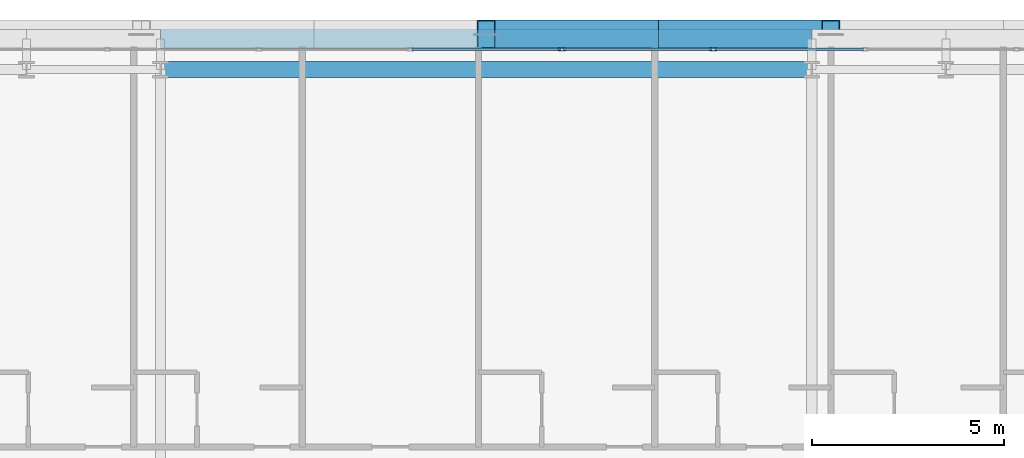
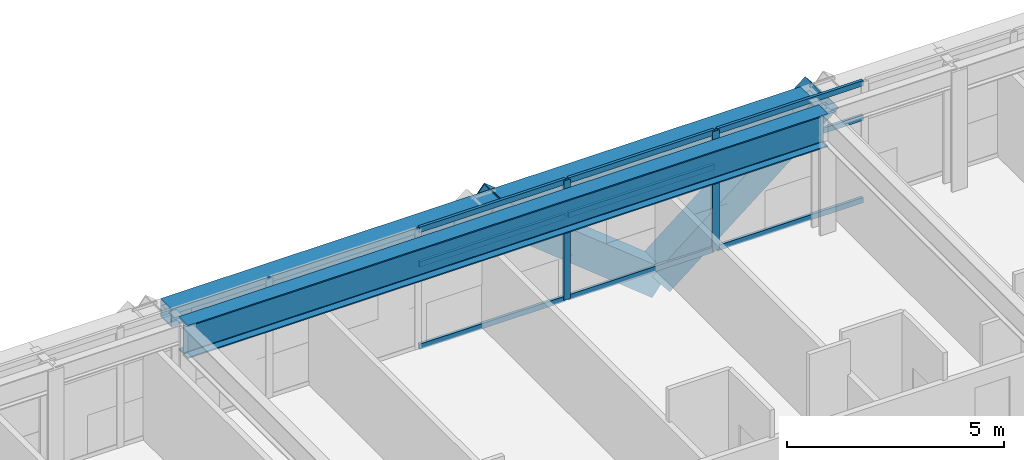
# One storey, part 19 of 36: 13 members, 2 beams, 1 element without a shape of its own.
"""IFC4 building model written with IfcOpenShell, lengths in metres."""

from ifc_helpers import new_model, si_unit, direction, frame, origin, origin_2d, place, context, subcontext, project, spatial, hollow_rectangle, i_section, extrude, source, transform, mapped, material, layer, layer_set, material_profile, profile_set, type_object, element, aggregate, save


model = new_model("IFC4")

# Units and contexts
model_context = context("Model", 3, precision=1e-05, world=origin(), true_north=direction((0.0, 1.0)))
body_context = subcontext(model_context, "Body", "Model", "MODEL_VIEW")
ifc_project = project(units=[si_unit("LENGTHUNIT", "METRE"), si_unit("AREAUNIT", "SQUARE_METRE"), si_unit("VOLUMEUNIT", "CUBIC_METRE"), si_unit("PLANEANGLEUNIT", "RADIAN"), si_unit("MASSUNIT", "GRAM", prefix="KILO")], contexts=[model_context])

# Site, building, storey
site_placement = place(None, origin())
site = spatial("IfcSite", under=ifc_project, at=site_placement, CompositionType="ELEMENT")
building_placement = place(site_placement, origin())
building = spatial("IfcBuilding", under=site, at=building_placement, Name="Ocotamira Hotel", CompositionType="ELEMENT")
storey_placement = place(building_placement, frame((0.0, 0.0, 129.60009765625)))
storey = spatial("IfcBuildingStorey", under=building, at=storey_placement, Name="L32", CompositionType="ELEMENT", Elevation=129.60009765625)

# Beams
ifc_material_1 = material(Name="Steel ASTM A992 Grade 50", Category="steel")
ifc_material_profile_1 = material_profile(ifc_material_1, i_section(OverallWidth=0.41796875, OverallDepth=0.927001953125, WebThickness=0.019287109375, FlangeThickness=0.031982421875, FilletRadius=0.02392578125, at=origin_2d()), Name="W36X231")
ifc_profile_set_1 = profile_set([ifc_material_profile_1], Name="Steel ASTM A992 Grade 50")
beam_type_1 = type_object("IfcBeamType", Name="BM-GIRD-W36X231", PredefinedType="BEAM", material=ifc_profile_set_1)
shared_shape_1 = source(origin(), body_context, "Body", "SweptSolid", [
    extrude(i_section(OverallWidth=0.41796875, OverallDepth=0.927001953125, WebThickness=0.019287109375, FlangeThickness=0.031982421875, FilletRadius=0.02392578125, at=origin_2d()), origin(), (0.0, 0.0, 1.0), 17.0),
])
beam_1_placement = place(storey_placement, frame((23.5, 49.050048828125, 2.896484375), z_axis=(1.0, 0.0, 0.0), x_axis=(0.0, 1.0, 0.0)))
element("IfcBeam", 1, at=beam_1_placement, inside=storey, type_object=beam_type_1, Name="L32 Girder Y49.05 X23.5-40.5", PredefinedType="BEAM", context=body_context, shape_type="MappedRepresentation", body=[
    mapped(shared_shape_1, transform((0.0, 0.0, 0.0), scale=1.0)),
])
ifc_material_2 = material(Name="Steel ASTM A500 Grade C", Category="steel")
ifc_material_profile_2 = material_profile(ifc_material_2, hollow_rectangle(XDim=0.5, YDim=0.5, WallThickness=0.02001953125, at=origin_2d()), Name="HSS500X500X20")
ifc_profile_set_2 = profile_set([ifc_material_profile_2], Name="Steel ASTM A500 Grade C")
beam_type_2 = type_object("IfcBeamType", Name="BM-SPAN-HSS500", PredefinedType="USERDEFINED", material=ifc_profile_set_2)
shared_shape_2 = source(origin(), body_context, "Body", "SweptSolid", [
    extrude(hollow_rectangle(XDim=0.5, YDim=0.5, WallThickness=0.02001953125, at=origin_2d()), origin(), (0.0, 0.0, 1.0), 17.0),
])
beam_2_placement = place(storey_placement, frame((23.5, 49.85009765625, 3.10986328125), z_axis=(1.0, 0.0, 0.0), x_axis=(0.0, 1.0, 0.0)))
element("IfcBeam", 2, at=beam_2_placement, inside=storey, type_object=beam_type_2, Name="L32 Edge Spandrel N X23.5-40.5", ObjectType="SPANDREL", PredefinedType="USERDEFINED", context=body_context, shape_type="MappedRepresentation", body=[
    mapped(shared_shape_2, transform((0.0, 0.0, 0.0), scale=1.0)),
])

# Members
ifc_material_3 = material(Name="Pale-metal coated steel ASTM A913 Grade 65", Category="steel")
ifc_material_profile_3 = material_profile(ifc_material_3, hollow_rectangle(XDim=0.75, YDim=0.75, WallThickness=0.028076171875, at=origin_2d()), Name="BOX750X750X28")
ifc_profile_set_3 = profile_set([ifc_material_profile_3], Name="Pale-metal coated steel ASTM A913 Grade 65")
member_type_1 = type_object("IfcMemberType", Name="MEM-EXO-BOX750", PredefinedType="BRACE", material=ifc_profile_set_3)
shared_shape_3 = source(origin(), body_context, "Body", "SweptSolid", [
    extrude(hollow_rectangle(XDim=0.75, YDim=0.75, WallThickness=0.028076171875, at=origin_2d()), origin(), (0.0, 0.0, 1.0), 5.7626953125),
])
for number, where, z_axis, x_axis, name in (
    (3, (36.5, 49.969970703125, -0.489990234375), (-0.780881208953, 0.0, 0.624679547852), (0.0, -1.0, 0.0), "L32 Exoskeleton Diagrid N2.1"),
    (4, (36.5, 49.969970703125, -0.489990234375), (0.780881208953, 0.0, 0.624679547852), (0.0, 1.0, 0.0), "L32 Exoskeleton Diagrid N2.2"),
):
    element("IfcMember", number, at=place(storey_placement, frame(where, z_axis=z_axis, x_axis=x_axis)), inside=storey, type_object=member_type_1, Name=name, PredefinedType="BRACE", context=body_context, shape_type="MappedRepresentation", body=[
        mapped(shared_shape_3, transform((0.0, 0.0, 0.0), scale=1.0)),
    ])

# Curtain wall, members
ifc_material_4 = material(Name="Anodised pale-metal aluminium and solar glass", Category="aluminium")
ifc_layer = layer(ifc_material_4, 0.179931640625)
ifc_layer_set = layer_set([ifc_layer], Name="Anodised pale-metal aluminium and solar glass")
curtain_wall_type = type_object("IfcCurtainWallType", Name="CW-SYS3-Z2", PredefinedType="NOTDEFINED", material=ifc_layer_set)
curtain_wall_placement = place(storey_placement, origin())
curtain_wall = element("IfcCurtainWall", 5, at=curtain_wall_placement, inside=storey, type_object=curtain_wall_type, Name="L32 Curtain Wall CW-3 CW-L32-N", PredefinedType="NOTDEFINED")
ifc_material_5 = material(Name="Anodised pale-metal aluminium 6063-T6", Category="aluminium")
ifc_material_profile_4 = material_profile(ifc_material_5, hollow_rectangle(XDim=0.074951171875, YDim=0.14990234375, WallThickness=0.006103515625, at=origin_2d()), Name="HSS150X75X6")
ifc_profile_set_4 = profile_set([ifc_material_profile_4], Name="Anodised pale-metal aluminium 6063-T6")
member_type_2 = type_object("IfcMemberType", Name="CWT-150X75", PredefinedType="USERDEFINED", material=ifc_profile_set_4)
shared_shape_4 = source(origin(), body_context, "Body", "SweptSolid", [
    extrude(hollow_rectangle(XDim=0.074951171875, YDim=0.14990234375, WallThickness=0.006103515625, at=origin_2d()), origin(), (0.0, 0.0, 1.0), 3.87548828125),
])
member_1_placement = place(storey_placement, frame((30.062255859375, 49.580078125, 0.037353515625), z_axis=(1.0, 0.0, 0.0), x_axis=(0.0, 1.0, 0.0)))
member_1 = element("IfcMember", 6, at=member_1_placement, type_object=member_type_2, Name="CW-3 transom 5.1", ObjectType="TRANSOM", PredefinedType="USERDEFINED", context=body_context, shape_type="MappedRepresentation", body=[
    mapped(shared_shape_4, transform((0.0, 0.0, 0.0), scale=1.0)),
])
member_2_placement = place(storey_placement, frame((30.062255859375, 49.580078125, 2.349853515625), z_axis=(1.0, 0.0, 0.0), x_axis=(0.0, 1.0, 0.0)))
member_2 = element("IfcMember", 7, at=member_2_placement, type_object=member_type_2, Name="CW-3 transom 5.2", ObjectType="TRANSOM", PredefinedType="USERDEFINED", context=body_context, shape_type="MappedRepresentation", body=[
    mapped(shared_shape_4, transform((0.0, 0.0, 0.0), scale=1.0)),
])
member_3_placement = place(storey_placement, frame((30.062255859375, 49.580078125, 3.322509765625), z_axis=(1.0, 0.0, 0.0), x_axis=(0.0, 1.0, 0.0)))
member_3 = element("IfcMember", 8, at=member_3_placement, type_object=member_type_2, Name="CW-3 transom 5.3", ObjectType="TRANSOM", PredefinedType="USERDEFINED", context=body_context, shape_type="MappedRepresentation", body=[
    mapped(shared_shape_4, transform((0.0, 0.0, 0.0), scale=1.0)),
])
member_4_placement = place(storey_placement, frame((34.017822265625, 49.580078125, 0.037353515625), z_axis=(1.0, 0.0, 0.0), x_axis=(0.0, 1.0, 0.0)))
member_4 = element("IfcMember", 9, at=member_4_placement, type_object=member_type_2, Name="CW-3 transom 6.1", ObjectType="TRANSOM", PredefinedType="USERDEFINED", context=body_context, shape_type="MappedRepresentation", body=[
    mapped(shared_shape_4, transform((0.0, 0.0, 0.0), scale=1.0)),
])
member_5_placement = place(storey_placement, frame((34.017822265625, 49.580078125, 2.349853515625), z_axis=(1.0, 0.0, 0.0), x_axis=(0.0, 1.0, 0.0)))
member_5 = element("IfcMember", 10, at=member_5_placement, type_object=member_type_2, Name="CW-3 transom 6.2", ObjectType="TRANSOM", PredefinedType="USERDEFINED", context=body_context, shape_type="MappedRepresentation", body=[
    mapped(shared_shape_4, transform((0.0, 0.0, 0.0), scale=1.0)),
])
member_6_placement = place(storey_placement, frame((34.017822265625, 49.580078125, 3.322509765625), z_axis=(1.0, 0.0, 0.0), x_axis=(0.0, 1.0, 0.0)))
member_6 = element("IfcMember", 11, at=member_6_placement, type_object=member_type_2, Name="CW-3 transom 6.3", ObjectType="TRANSOM", PredefinedType="USERDEFINED", context=body_context, shape_type="MappedRepresentation", body=[
    mapped(shared_shape_4, transform((0.0, 0.0, 0.0), scale=1.0)),
])
member_7_placement = place(storey_placement, frame((37.973388671875, 49.580078125, 0.037353515625), z_axis=(1.0, 0.0, 0.0), x_axis=(0.0, 1.0, 0.0)))
member_7 = element("IfcMember", 12, at=member_7_placement, type_object=member_type_2, Name="CW-3 transom 7.1", ObjectType="TRANSOM", PredefinedType="USERDEFINED", context=body_context, shape_type="MappedRepresentation", body=[
    mapped(shared_shape_4, transform((0.0, 0.0, 0.0), scale=1.0)),
])
member_8_placement = place(storey_placement, frame((37.973388671875, 49.580078125, 2.349853515625), z_axis=(1.0, 0.0, 0.0), x_axis=(0.0, 1.0, 0.0)))
member_8 = element("IfcMember", 13, at=member_8_placement, type_object=member_type_2, Name="CW-3 transom 7.2", ObjectType="TRANSOM", PredefinedType="USERDEFINED", context=body_context, shape_type="MappedRepresentation", body=[
    mapped(shared_shape_4, transform((0.0, 0.0, 0.0), scale=1.0)),
])
member_9_placement = place(storey_placement, frame((37.973388671875, 49.580078125, 3.322509765625), z_axis=(1.0, 0.0, 0.0), x_axis=(0.0, 1.0, 0.0)))
member_9 = element("IfcMember", 14, at=member_9_placement, type_object=member_type_2, Name="CW-3 transom 7.3", ObjectType="TRANSOM", PredefinedType="USERDEFINED", context=body_context, shape_type="MappedRepresentation", body=[
    mapped(shared_shape_4, transform((0.0, 0.0, 0.0), scale=1.0)),
])
ifc_material_profile_5 = material_profile(ifc_material_5, hollow_rectangle(XDim=0.080078125, YDim=0.179931640625, WallThickness=0.006103515625, at=origin_2d()), Name="HSS180X80X6")
ifc_profile_set_5 = profile_set([ifc_material_profile_5], Name="Anodised pale-metal aluminium 6063-T6")
member_type_3 = type_object("IfcMemberType", Name="CWM-180X75", PredefinedType="MULLION", material=ifc_profile_set_5)
shared_shape_5 = source(origin(), body_context, "Body", "SweptSolid", [
    extrude(hollow_rectangle(XDim=0.080078125, YDim=0.179931640625, WallThickness=0.006103515625, at=origin_2d()), origin(), (0.0, 0.0, 1.0), 3.35986328125),
])
member_10_placement = place(storey_placement, frame((33.977783203125, 49.580078125, 0.0), z_axis=(0.0, 0.0, 1.0), x_axis=(0.0, 1.0, 0.0)))
member_10 = element("IfcMember", 15, at=member_10_placement, type_object=member_type_3, Name="CW-3 mullion 6", PredefinedType="MULLION", context=body_context, shape_type="MappedRepresentation", body=[
    mapped(shared_shape_5, transform((0.0, 0.0, 0.0), scale=1.0)),
])
member_11_placement = place(storey_placement, frame((37.933349609375, 49.580078125, 0.0), z_axis=(0.0, 0.0, 1.0), x_axis=(0.0, 1.0, 0.0)))
member_11 = element("IfcMember", 16, at=member_11_placement, type_object=member_type_3, Name="CW-3 mullion 7", PredefinedType="MULLION", context=body_context, shape_type="MappedRepresentation", body=[
    mapped(shared_shape_5, transform((0.0, 0.0, 0.0), scale=1.0)),
])
aggregate(curtain_wall, [member_10, member_11, member_1, member_2, member_3, member_4, member_5, member_6, member_7, member_8, member_9])

save(model, "model.ifc")
